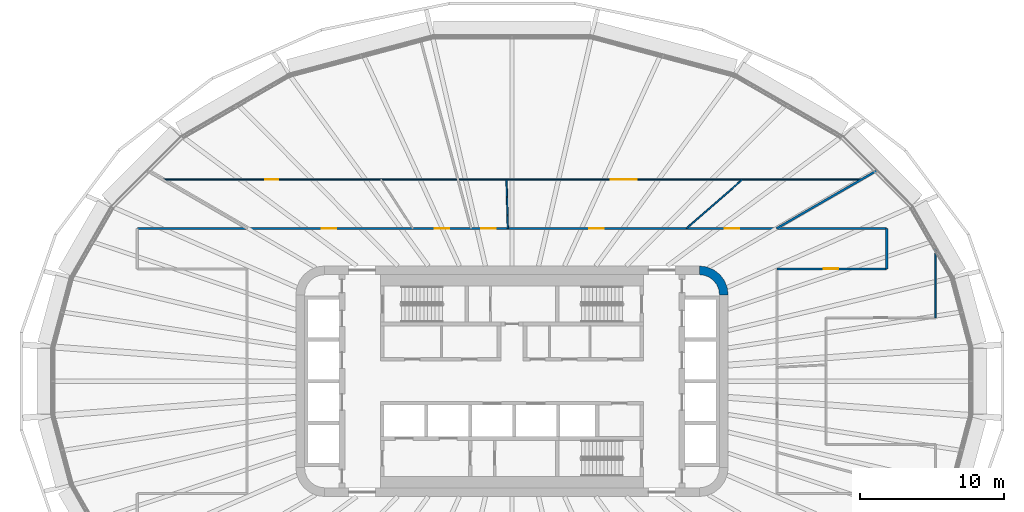
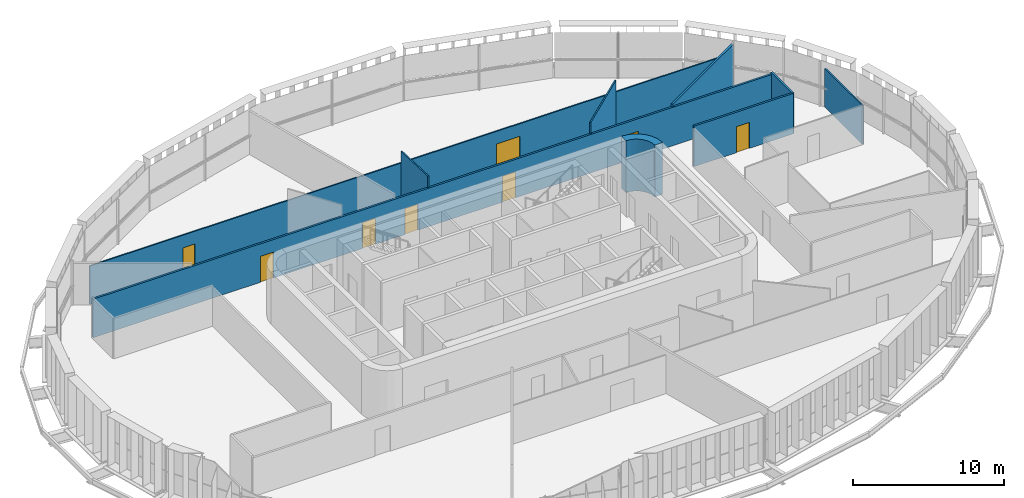
# One storey, part 17 of 25: 9 walls, 8 doors, 8 openings.
"""IFC4 building model written with IfcOpenShell, lengths in metres."""

import ifcopenshell
import ifcopenshell.guid

model = None  # the IFC model being written
_history = None  # IfcOwnerHistory: only IFC2X3 demands one
_inside = {}  # id of a spatial element -> (the spatial element, [elements in it])
_under = {}  # id of a project, library or spatial element -> (it, [spatial elements below it])
_declared = {}  # id of a project -> (the project, [libraries it declares])
_typed = {}  # id of a type object -> (the type object, [elements of that type])
_made_of = {}  # id of a material, layer set ... -> (it, [elements and type objects made of it])


def new_model(schema):
    """Start an empty IFC model of exactly this schema.

    Asked for "IFC4X3", IfcOpenShell would pick the latest addendum, in which some entities
    have other attributes; the version numbers below select the first issue.
    IFC2X3 requires an IfcOwnerHistory on every rooted entity: one is made here for all.
    """
    global model, _history
    if schema == "IFC4X3":
        model = ifcopenshell.file(schema_version=(4, 3, 0, 0))
    else:
        model = ifcopenshell.file(schema=schema)
    _inside.clear()
    _under.clear()
    _declared.clear()
    _typed.clear()
    _made_of.clear()
    _history = None
    if model.schema == "IFC2X3":
        org = make("IfcOrganization", Name="unknown")
        user = make(
            "IfcPersonAndOrganization",
            ThePerson=make("IfcPerson", FamilyName="unknown"),
            TheOrganization=org,
        )
        app = make(
            "IfcApplication",
            ApplicationDeveloper=org,
            Version="unknown",
            ApplicationFullName="unknown",
            ApplicationIdentifier="unknown",
        )
        _history = make(
            "IfcOwnerHistory",
            OwningUser=user,
            OwningApplication=app,
            ChangeAction="ADDED",
            CreationDate=0,
        )
    return model


def make(cls, **values):
    """One entity of the class cls with the attributes given. An attribute that is None is left unset."""
    return model.create_entity(
        cls, **{name: value for name, value in values.items() if value is not None}
    )


def rooted(cls, **values):
    """An entity with a GlobalId (a new one), such as an element, a storey or a relation."""
    return make(cls, GlobalId=ifcopenshell.guid.new(), OwnerHistory=_history, **values)


def si_unit(unit_type, name, prefix=None):
    """IfcSIUnit, for example si_unit("LENGTHUNIT", "METRE", prefix="MILLI")."""
    return make("IfcSIUnit", UnitType=unit_type, Prefix=prefix, Name=name)


def assignment(units):
    """IfcUnitAssignment: the units of a project."""
    return None if units is None else make("IfcUnitAssignment", Units=units)


def point(xyz):
    """IfcCartesianPoint."""
    return None if xyz is None else make("IfcCartesianPoint", Coordinates=xyz)


def direction(xyz):
    """IfcDirection."""
    return None if xyz is None else make("IfcDirection", DirectionRatios=xyz)


def frame(location, z_axis=None, x_axis=None):
    """IfcAxis2Placement3D, a coordinate frame: its origin and axes. An axis left out is left unset."""
    return make(
        "IfcAxis2Placement3D",
        Location=point(location),
        Axis=direction(z_axis),
        RefDirection=direction(x_axis),
    )


def frame_2d(location, x_axis=None):
    """IfcAxis2Placement2D, a coordinate frame in the plane: its origin and x axis."""
    return make(
        "IfcAxis2Placement2D", Location=point(location), RefDirection=direction(x_axis)
    )


def origin():
    """The frame at (0, 0, 0) with its axes left unset."""
    return frame((0.0, 0.0, 0.0))


def place(relative_to, where):
    """IfcLocalPlacement: puts the frame where relative to a parent placement (None: the world)."""
    return make(
        "IfcLocalPlacement", PlacementRelTo=relative_to, RelativePlacement=where
    )


def context(
    kind, dimensions, precision=None, world=None, true_north=None, identifier=None
):
    """IfcGeometricRepresentationContext, for example the 3D "Model" context."""
    return make(
        "IfcGeometricRepresentationContext",
        ContextIdentifier=identifier,
        ContextType=kind,
        CoordinateSpaceDimension=dimensions,
        Precision=precision,
        WorldCoordinateSystem=world,
        TrueNorth=true_north,
    )


def subcontext(parent, identifier, kind, view, scale=None):
    """IfcGeometricRepresentationSubContext, for example "Body" below "Model"."""
    return make(
        "IfcGeometricRepresentationSubContext",
        ContextIdentifier=identifier,
        ContextType=kind,
        ParentContext=parent,
        TargetScale=scale,
        TargetView=view,
    )


def project(units=None, contexts=None):
    """IfcProject with its units and contexts."""
    return rooted(
        "IfcProject",
        Name="project",
        RepresentationContexts=contexts,
        UnitsInContext=assignment(units),
    )


def spatial(cls, under=None, at=None, **own):
    """A site, building, storey or space (cls), placed at a placement, below another one or the project."""
    s = rooted(cls, ObjectPlacement=at, **own)
    if under is not None:
        _under.setdefault(under.id(), (under, []))[1].append(s)
    return s


def polyline(points):
    """IfcPolyline through the points."""
    return make("IfcPolyline", Points=[point(p) for p in points])


def profile(cls, at=None, kind="AREA", **sizes):
    """A parametric profile (cls). Its sizes go by their IFC names, for example OverallWidth=200.0."""
    return make(cls, ProfileType=kind, Position=at, **sizes)


def rectangle(**sizes):
    """IfcRectangleProfileDef."""
    return profile("IfcRectangleProfileDef", **sizes)


def outline(outer, holes=None, kind="AREA"):
    """IfcArbitraryClosedProfileDef: a profile drawn as a closed curve; with holes, ...WithVoids."""
    if holes is None:
        return make("IfcArbitraryClosedProfileDef", ProfileType=kind, OuterCurve=outer)
    return make(
        "IfcArbitraryProfileDefWithVoids",
        ProfileType=kind,
        OuterCurve=outer,
        InnerCurves=holes,
    )


def extrude(swept, where, along, depth):
    """IfcExtrudedAreaSolid: the profile swept, set in the frame where, extruded along a direction by depth."""
    return make(
        "IfcExtrudedAreaSolid",
        SweptArea=swept,
        Position=where,
        ExtrudedDirection=direction(along),
        Depth=depth,
    )


def shape(context_of_items, identifier, shape_type, items):
    """IfcShapeRepresentation: the items that make up one representation, for example the "Body"."""
    return make(
        "IfcShapeRepresentation",
        ContextOfItems=context_of_items,
        RepresentationIdentifier=identifier,
        RepresentationType=shape_type,
        Items=items,
    )


def material(Name=None, Category=None):
    """IfcMaterial."""
    return make("IfcMaterial", Name=Name, Category=Category)


def layer(
    of_material, thickness, ventilated=None, Name=None, Category=None, Priority=None
):
    """IfcMaterialLayer: one layer of a wall or slab, of a material (None: an air gap)."""
    return make(
        "IfcMaterialLayer",
        Material=of_material,
        LayerThickness=thickness,
        IsVentilated=ventilated,
        Name=Name,
        Category=Category,
        Priority=Priority,
    )


def layer_set(layers, Name=None):
    """IfcMaterialLayerSet."""
    return make("IfcMaterialLayerSet", MaterialLayers=layers, LayerSetName=Name)


def made_of(thing, what):
    """Note that an element or type object is made of a material, layer set ...; save() writes the relation."""
    if what is not None:
        _made_of.setdefault(what.id(), (what, []))[1].append(thing)
    return thing


def type_object(cls, material=None, **own):
    """A type object (cls), such as IfcWallType, which elements share."""
    return made_of(rooted(cls, **own), material)


def element(
    cls,
    number,
    at=None,
    inside=None,
    cuts=None,
    type_object=None,
    material=None,
    context=None,
    identifier="Body",
    shape_type=None,
    held_by="IfcProductDefinitionShape",
    body=None,
    shapes=None,
    **own,
):
    """One element of the class cls, such as IfcWall. Its Tag is "e" and its number.

    at: its placement. inside: the storey or other place that contains it. cuts: it is an
    opening in that element (IfcRelVoidsElement). A single representation is given by context,
    identifier, shape_type and body (its items); several are given by shapes. held_by: the class
    of the entity that holds the representations. save() writes the other relations.
    """
    e = rooted(cls, Tag="e%d" % number, ObjectPlacement=at, **own)
    if body is not None:
        shapes = [shape(context, identifier, shape_type, body)]
    if shapes is not None:
        e.Representation = make(held_by, Representations=shapes)
    if inside is not None:
        _inside.setdefault(inside.id(), (inside, []))[1].append(e)
    if cuts is not None:
        rooted(
            "IfcRelVoidsElement", RelatingBuildingElement=cuts, RelatedOpeningElement=e
        )
    if type_object is not None:
        _typed.setdefault(type_object.id(), (type_object, []))[1].append(e)
    return made_of(e, material)


def fill(opening, filler):
    """IfcRelFillsElement: the door or window that sits in an opening."""
    return rooted(
        "IfcRelFillsElement",
        RelatingOpeningElement=opening,
        RelatedBuildingElement=filler,
    )


def aggregate(whole, parts):
    """IfcRelAggregates: a whole, such as a stair, and the parts it consists of."""
    return rooted("IfcRelAggregates", RelatingObject=whole, RelatedObjects=parts)


def save(model, path):
    """Write the relations noted so far, then the file.

    IfcRelAggregates (storeys below a building ...), IfcRelContainedInSpatialStructure (elements
    in a storey), IfcRelDefinesByType, IfcRelAssociatesMaterial and IfcRelDeclares: one each for
    every whole, place, type object, material and project.
    """
    for whole, parts in _under.values():
        aggregate(whole, parts)
    for where, things in _inside.values():
        rooted(
            "IfcRelContainedInSpatialStructure",
            RelatedElements=things,
            RelatingStructure=where,
        )
    for kind, things in _typed.values():
        rooted("IfcRelDefinesByType", RelatedObjects=things, RelatingType=kind)
    for what, things in _made_of.values():
        rooted("IfcRelAssociatesMaterial", RelatedObjects=things, RelatingMaterial=what)
    for by, libraries in _declared.values():
        rooted("IfcRelDeclares", RelatingContext=by, RelatedDefinitions=libraries)
    model.write(path)


model = new_model("IFC4")

# Units and contexts
model_context = context("Model", 3, precision=1e-05, world=origin(), true_north=direction((0.0, 1.0)))
body_context = subcontext(model_context, "Body", "Model", "MODEL_VIEW")
ifc_project = project(units=[si_unit("LENGTHUNIT", "METRE"), si_unit("AREAUNIT", "SQUARE_METRE"), si_unit("VOLUMEUNIT", "CUBIC_METRE"), si_unit("PLANEANGLEUNIT", "RADIAN"), si_unit("MASSUNIT", "GRAM", prefix="KILO")], contexts=[model_context])

# Site, building, storey
site_placement = place(None, origin())
site = spatial("IfcSite", under=ifc_project, at=site_placement, CompositionType="ELEMENT")
building_placement = place(site_placement, origin())
building = spatial("IfcBuilding", under=site, at=building_placement, Name="Sahrelin Media Tower", CompositionType="ELEMENT")
storey_placement = place(building_placement, frame((0.0, 0.0, 106.199951171875)))
storey = spatial("IfcBuildingStorey", under=building, at=storey_placement, Name="L20", CompositionType="ELEMENT", Elevation=106.199951171875)

# Wall
ifc_material_1 = material(Name="Concrete C60/75", Category="concrete")
ifc_layer_1 = layer(ifc_material_1, 0.60009765625)
ifc_layer_set_1 = layer_set([ifc_layer_1], Name="Core wall 600")
wall_type_1 = type_object("IfcWallType", Name="Core wall 600", PredefinedType="SHEAR", material=ifc_layer_set_1)
wall_1_placement = place(storey_placement, origin())
element("IfcWall", 1, at=wall_1_placement, inside=storey, type_object=wall_type_1, Name="Core wall corner NE L20", PredefinedType="SHEAR", context=body_context, shape_type="SweptSolid", body=[
    extrude(outline(polyline([(13.0, 8.0), (13.0, 7.394775390625), (13.361083984375, 7.347412109375), (13.697509765625, 7.2080078125), (13.986328125, 6.986328125), (14.2080078125, 6.697509765625), (14.347412109375, 6.361083984375), (14.394775390625, 6.0), (15.0, 6.0), (14.931884765625, 6.517578125), (14.732177734375, 7.0), (14.414306640625, 7.414306640625), (14.0, 7.732177734375), (13.517578125, 7.931884765625), (13.0, 8.0)])), origin(), (0.0, 0.0, 1.0), 4.199951171875),
])

# Wall, opening, door
ifc_material_2 = material(Name="Fire-rated gypsum board partition")
ifc_layer_2 = layer(ifc_material_2, 0.14990234375)
ifc_layer_set_2 = layer_set([ifc_layer_2], Name="Fire-rated partition 150")
wall_type_2 = type_object("IfcWallType", Name="Fire-rated partition 150", PredefinedType="PARTITIONING", material=ifc_layer_set_2)
wall_2_placement = place(storey_placement, frame((18.39990234375, 7.800048828125, 0.0), z_axis=(0.0, 0.0, 1.0), x_axis=(1.0, 0.0, 0.0)))
wall_2 = element("IfcWall", 2, at=wall_2_placement, inside=storey, type_object=wall_type_2, Name="Wall", PredefinedType="PARTITIONING", context=body_context, shape_type="SweptSolid", body=[
    extrude(rectangle(XDim=7.60009765625, YDim=0.14990234375, at=frame_2d((3.800048828125, 0.0))), origin(), (0.0, 0.0, 1.0), 3.276123046875),
])
opening_1_placement = place(wall_2_placement, frame((3.2490234375, 0.0, 0.0)))
opening_1 = element("IfcOpeningElement", 3, at=opening_1_placement, cuts=wall_2, Name="Opening L20-D39", PredefinedType="OPENING", context=body_context, shape_type="SweptSolid", body=[
    extrude(rectangle(XDim=1.0, YDim=2.10009765625, at=frame_2d((0.5, 1.050048828125))), frame((0.0, 0.074951171875, 0.0), z_axis=(0.0, -1.0, 0.0), x_axis=(1.0, 0.0, 0.0)), (0.0, 0.0, 1.0), 0.14990234375),
])
ifc_material_3 = material(Name="Steel fire door leaf", Category="steel")
door_type_1 = type_object("IfcDoorType", Name="Fire door 1000 x 2100 EI 60", OperationType="NOTDEFINED", PredefinedType="DOOR", material=ifc_material_3)
door_1_placement = place(opening_1_placement, origin())
door_1 = element("IfcDoor", 4, at=door_1_placement, inside=storey, type_object=door_type_1, Name="Fire door", OperationType="SINGLE_SWING_LEFT", OverallHeight=2.10009765625, OverallWidth=1.0, PredefinedType="DOOR", context=body_context, shape_type="SweptSolid", body=[
    extrude(rectangle(XDim=1.0, YDim=2.10009765625, at=frame_2d((0.5, 1.050048828125))), frame((0.0, 0.02490234375, 0.0), z_axis=(0.0, -1.0, 0.0), x_axis=(1.0, 0.0, 0.0)), (0.0, 0.0, 1.0), 0.050048828125),
])
fill(opening_1, door_1)

# Wall, openings, doors
wall_3_placement = place(storey_placement, frame((-26.0, 10.60009765625, 0.0), z_axis=(0.0, 0.0, 1.0), x_axis=(1.0, 0.0, 0.0)))
wall_3 = element("IfcWall", 5, at=wall_3_placement, inside=storey, type_object=wall_type_2, Name="Wall", PredefinedType="PARTITIONING", context=body_context, shape_type="SweptSolid", body=[
    extrude(rectangle(XDim=52.0, YDim=0.14990234375, at=frame_2d((26.0, 0.0))), origin(), (0.0, 0.0, 1.0), 3.1181640625),
])
opening_2_placement = place(wall_3_placement, frame((40.75341796875, 0.0, 0.0)))
opening_2 = element("IfcOpeningElement", 6, at=opening_2_placement, cuts=wall_3, Name="Opening L20-D23", PredefinedType="OPENING", context=body_context, shape_type="SweptSolid", body=[
    extrude(rectangle(XDim=1.0, YDim=2.10009765625, at=frame_2d((0.5, 1.050048828125))), frame((0.0, 0.074951171875, 0.0), z_axis=(0.0, -1.0, 0.0), x_axis=(1.0, 0.0, 0.0)), (0.0, 0.0, 1.0), 0.14990234375),
])
opening_3_placement = place(wall_3_placement, frame((31.359619140625, 0.0, 0.0)))
opening_3 = element("IfcOpeningElement", 7, at=opening_3_placement, cuts=wall_3, Name="Opening L20-D24", PredefinedType="OPENING", context=body_context, shape_type="SweptSolid", body=[
    extrude(rectangle(XDim=1.0, YDim=2.10009765625, at=frame_2d((0.5, 1.050048828125))), frame((0.0, 0.074951171875, 0.0), z_axis=(0.0, -1.0, 0.0), x_axis=(1.0, 0.0, 0.0)), (0.0, 0.0, 1.0), 0.14990234375),
])
opening_4_placement = place(wall_3_placement, frame((23.877685546875, 0.0, 0.0)))
opening_4 = element("IfcOpeningElement", 8, at=opening_4_placement, cuts=wall_3, Name="Opening L20-D25", PredefinedType="OPENING", context=body_context, shape_type="SweptSolid", body=[
    extrude(rectangle(XDim=1.0, YDim=2.10009765625, at=frame_2d((0.5, 1.050048828125))), frame((0.0, 0.074951171875, 0.0), z_axis=(0.0, -1.0, 0.0), x_axis=(1.0, 0.0, 0.0)), (0.0, 0.0, 1.0), 0.14990234375),
])
opening_5_placement = place(wall_3_placement, frame((20.637939453125, 0.0, 0.0)))
opening_5 = element("IfcOpeningElement", 9, at=opening_5_placement, cuts=wall_3, Name="Opening L20-D27", PredefinedType="OPENING", context=body_context, shape_type="SweptSolid", body=[
    extrude(rectangle(XDim=1.0, YDim=2.10009765625, at=frame_2d((0.5, 1.050048828125))), frame((0.0, 0.074951171875, 0.0), z_axis=(0.0, -1.0, 0.0), x_axis=(1.0, 0.0, 0.0)), (0.0, 0.0, 1.0), 0.14990234375),
])
opening_6_placement = place(wall_3_placement, frame((12.807861328125, 0.0, 0.0)))
opening_6 = element("IfcOpeningElement", 10, at=opening_6_placement, cuts=wall_3, Name="Opening L20-D28", PredefinedType="OPENING", context=body_context, shape_type="SweptSolid", body=[
    extrude(rectangle(XDim=1.0, YDim=2.10009765625, at=frame_2d((0.5, 1.050048828125))), frame((0.0, 0.074951171875, 0.0), z_axis=(0.0, -1.0, 0.0), x_axis=(1.0, 0.0, 0.0)), (0.0, 0.0, 1.0), 0.14990234375),
])
door_2_placement = place(opening_2_placement, origin())
door_2 = element("IfcDoor", 11, at=door_2_placement, inside=storey, type_object=door_type_1, Name="Fire door", OperationType="SINGLE_SWING_LEFT", OverallHeight=2.10009765625, OverallWidth=1.0, PredefinedType="DOOR", context=body_context, shape_type="SweptSolid", body=[
    extrude(rectangle(XDim=1.0, YDim=2.10009765625, at=frame_2d((0.5, 1.050048828125))), frame((0.0, 0.02490234375, 0.0), z_axis=(0.0, -1.0, 0.0), x_axis=(1.0, 0.0, 0.0)), (0.0, 0.0, 1.0), 0.050048828125),
])
fill(opening_2, door_2)
door_3_placement = place(opening_3_placement, origin())
door_3 = element("IfcDoor", 12, at=door_3_placement, inside=storey, type_object=door_type_1, Name="Fire door", OperationType="SINGLE_SWING_LEFT", OverallHeight=2.10009765625, OverallWidth=1.0, PredefinedType="DOOR", context=body_context, shape_type="SweptSolid", body=[
    extrude(rectangle(XDim=1.0, YDim=2.10009765625, at=frame_2d((0.5, 1.050048828125))), frame((0.0, 0.02490234375, 0.0), z_axis=(0.0, -1.0, 0.0), x_axis=(1.0, 0.0, 0.0)), (0.0, 0.0, 1.0), 0.050048828125),
])
fill(opening_3, door_3)
door_4_placement = place(opening_4_placement, origin())
door_4 = element("IfcDoor", 13, at=door_4_placement, inside=storey, type_object=door_type_1, Name="Fire door", OperationType="SINGLE_SWING_RIGHT", OverallHeight=2.10009765625, OverallWidth=1.0, PredefinedType="DOOR", context=body_context, shape_type="SweptSolid", body=[
    extrude(rectangle(XDim=1.0, YDim=2.10009765625, at=frame_2d((0.5, 1.050048828125))), frame((0.0, 0.02490234375, 0.0), z_axis=(0.0, -1.0, 0.0), x_axis=(1.0, 0.0, 0.0)), (0.0, 0.0, 1.0), 0.050048828125),
])
fill(opening_4, door_4)
door_5_placement = place(opening_5_placement, origin())
door_5 = element("IfcDoor", 14, at=door_5_placement, inside=storey, type_object=door_type_1, Name="Fire door", OperationType="SINGLE_SWING_RIGHT", OverallHeight=2.10009765625, OverallWidth=1.0, PredefinedType="DOOR", context=body_context, shape_type="SweptSolid", body=[
    extrude(rectangle(XDim=1.0, YDim=2.10009765625, at=frame_2d((0.5, 1.050048828125))), frame((0.0, 0.02490234375, 0.0), z_axis=(0.0, -1.0, 0.0), x_axis=(1.0, 0.0, 0.0)), (0.0, 0.0, 1.0), 0.050048828125),
])
fill(opening_5, door_5)
door_6_placement = place(opening_6_placement, origin())
door_6 = element("IfcDoor", 15, at=door_6_placement, inside=storey, type_object=door_type_1, Name="Fire door", OperationType="SINGLE_SWING_LEFT", OverallHeight=2.10009765625, OverallWidth=1.0, PredefinedType="DOOR", context=body_context, shape_type="SweptSolid", body=[
    extrude(rectangle(XDim=1.0, YDim=2.10009765625, at=frame_2d((0.5, 1.050048828125))), frame((0.0, 0.02490234375, 0.0), z_axis=(0.0, -1.0, 0.0), x_axis=(1.0, 0.0, 0.0)), (0.0, 0.0, 1.0), 0.050048828125),
])
fill(opening_6, door_6)

# Walls
wall_4_placement = place(storey_placement, frame((18.361083984375, 10.60009765625, 0.0), z_axis=(0.0, 0.0, 1.0), x_axis=(0.866017655369, 0.500013420409, 0.0)))
element("IfcWall", 16, at=wall_4_placement, inside=storey, type_object=wall_type_2, Name="Wall", PredefinedType="PARTITIONING", context=body_context, shape_type="SweptSolid", body=[
    extrude(rectangle(XDim=8.037841796875, YDim=0.14990234375, at=frame_2d((4.01904296875, 0.0))), origin(), (0.0, 0.0, 1.0), 3.352294921875),
])
wall_5_placement = place(storey_placement, frame((26.0, 7.800048828125, 0.0), z_axis=(0.0, 0.0, 1.0), x_axis=(0.0, 1.0, 0.0)))
element("IfcWall", 17, at=wall_5_placement, inside=storey, type_object=wall_type_2, Name="Wall", PredefinedType="PARTITIONING", context=body_context, shape_type="SweptSolid", body=[
    extrude(rectangle(XDim=2.800048828125, YDim=0.14990234375, at=frame_2d((1.39990234375, 0.0))), origin(), (0.0, 0.0, 1.0), 3.276123046875),
])
ifc_material_4 = material(Name="Gypsum board partition")
ifc_layer_3 = layer(ifc_material_4, 0.10009765625)
ifc_layer_set_3 = layer_set([ifc_layer_3], Name="Partition 100")
wall_type_3 = type_object("IfcWallType", Name="Partition 100", PredefinedType="PARTITIONING", material=ifc_layer_set_3)
wall_6_placement = place(storey_placement, frame((-0.3798828125, 14.0, 0.0), z_axis=(0.0, 0.0, 1.0), x_axis=(0.027276935786, -0.999627915163, 0.0)))
element("IfcWall", 18, at=wall_6_placement, inside=storey, type_object=wall_type_3, Name="Wall", PredefinedType="PARTITIONING", context=body_context, shape_type="SweptSolid", body=[
    extrude(rectangle(XDim=3.401123046875, YDim=0.10009765625, at=frame_2d((1.70068359375, 0.0))), origin(), (0.0, 0.0, 1.0), 4.050048828125),
])

# Wall, openings, doors
wall_7_placement = place(storey_placement, frame((-24.25, 14.0, 0.0), z_axis=(0.0, 0.0, 1.0), x_axis=(1.0, 0.0, 0.0)))
wall_7 = element("IfcWall", 19, at=wall_7_placement, inside=storey, type_object=wall_type_3, Name="Wall", PredefinedType="PARTITIONING", context=body_context, shape_type="SweptSolid", body=[
    extrude(rectangle(XDim=48.5, YDim=0.10009765625, at=frame_2d((24.25, 0.0))), origin(), (0.0, 0.0, 1.0), 3.1181640625),
])
opening_7_placement = place(wall_7_placement, frame((31.104736328125, 0.0, 0.0)))
opening_7 = element("IfcOpeningElement", 20, at=opening_7_placement, cuts=wall_7, Name="Opening L20-D26", PredefinedType="OPENING", context=body_context, shape_type="SweptSolid", body=[
    extrude(rectangle(XDim=1.800048828125, YDim=2.10009765625, at=frame_2d((0.89990234375, 1.050048828125))), frame((0.0, 0.050048828125, 0.0), z_axis=(0.0, -1.0, 0.0), x_axis=(1.0, 0.0, 0.0)), (0.0, 0.0, 1.0), 0.10009765625),
])
opening_8_placement = place(wall_7_placement, frame((7.12890625, 0.0, 0.0)))
opening_8 = element("IfcOpeningElement", 21, at=opening_8_placement, cuts=wall_7, Name="Opening L20-D29", PredefinedType="OPENING", context=body_context, shape_type="SweptSolid", body=[
    extrude(rectangle(XDim=0.89990234375, YDim=2.10009765625, at=frame_2d((0.449951171875, 1.050048828125))), frame((0.0, 0.050048828125, 0.0), z_axis=(0.0, -1.0, 0.0), x_axis=(1.0, 0.0, 0.0)), (0.0, 0.0, 1.0), 0.10009765625),
])
ifc_material_5 = material(Name="Timber door leaf", Category="wood")
door_type_2 = type_object("IfcDoorType", Name="Double door 1800 x 2100", OperationType="DOUBLE_DOOR_SINGLE_SWING", PredefinedType="DOOR", material=ifc_material_5)
door_7_placement = place(opening_7_placement, origin())
door_7 = element("IfcDoor", 22, at=door_7_placement, inside=storey, type_object=door_type_2, Name="Double door", OperationType="DOUBLE_DOOR_SINGLE_SWING", OverallHeight=2.10009765625, OverallWidth=1.800048828125, PredefinedType="DOOR", context=body_context, shape_type="SweptSolid", body=[
    extrude(rectangle(XDim=1.800048828125, YDim=2.10009765625, at=frame_2d((0.89990234375, 1.050048828125))), frame((0.0, 0.02490234375, 0.0), z_axis=(0.0, -1.0, 0.0), x_axis=(1.0, 0.0, 0.0)), (0.0, 0.0, 1.0), 0.050048828125),
])
fill(opening_7, door_7)
door_type_3 = type_object("IfcDoorType", Name="Single door 900 x 2100", OperationType="NOTDEFINED", PredefinedType="DOOR", material=ifc_material_5)
door_8_placement = place(opening_8_placement, origin())
door_8 = element("IfcDoor", 23, at=door_8_placement, inside=storey, type_object=door_type_3, Name="Single door", OperationType="SINGLE_SWING_LEFT", OverallHeight=2.10009765625, OverallWidth=0.89990234375, PredefinedType="DOOR", context=body_context, shape_type="SweptSolid", body=[
    extrude(rectangle(XDim=0.89990234375, YDim=2.10009765625, at=frame_2d((0.449951171875, 1.050048828125))), frame((0.0, 0.02490234375, 0.0), z_axis=(0.0, -1.0, 0.0), x_axis=(1.0, 0.0, 0.0)), (0.0, 0.0, 1.0), 0.050048828125),
])
fill(opening_8, door_8)

# Walls
wall_8_placement = place(storey_placement, frame((12.10693359375, 10.60009765625, 0.0), z_axis=(0.0, 0.0, 1.0), x_axis=(0.752362742548, 0.658749044497, 0.0)))
element("IfcWall", 24, at=wall_8_placement, inside=storey, type_object=wall_type_3, Name="Wall", PredefinedType="PARTITIONING", context=body_context, shape_type="SweptSolid", body=[
    extrude(rectangle(XDim=5.1611328125, YDim=0.10009765625, at=frame_2d((2.58056640625, 0.0))), origin(), (0.0, 0.0, 1.0), 4.050048828125),
])
wall_9_placement = place(storey_placement, frame((29.39990234375, 4.39990234375, 0.0), z_axis=(0.0, 0.0, 1.0), x_axis=(0.0, 1.0, 0.0)))
element("IfcWall", 25, at=wall_9_placement, inside=storey, type_object=wall_type_3, Name="Wall", PredefinedType="PARTITIONING", context=body_context, shape_type="SweptSolid", body=[
    extrude(rectangle(XDim=4.97802734375, YDim=0.10009765625, at=frame_2d((2.489013671875, 0.0))), origin(), (0.0, 0.0, 1.0), 3.126953125),
])

save(model, "model.ifc")
